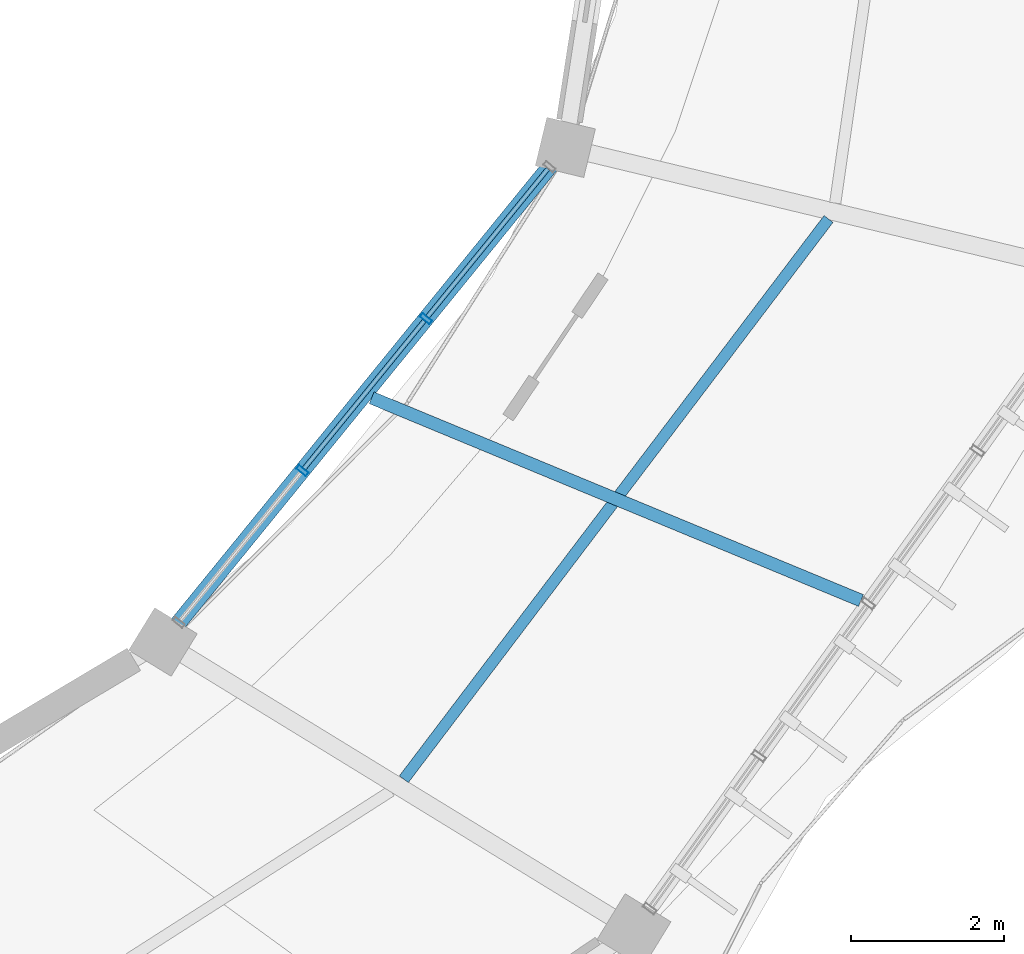
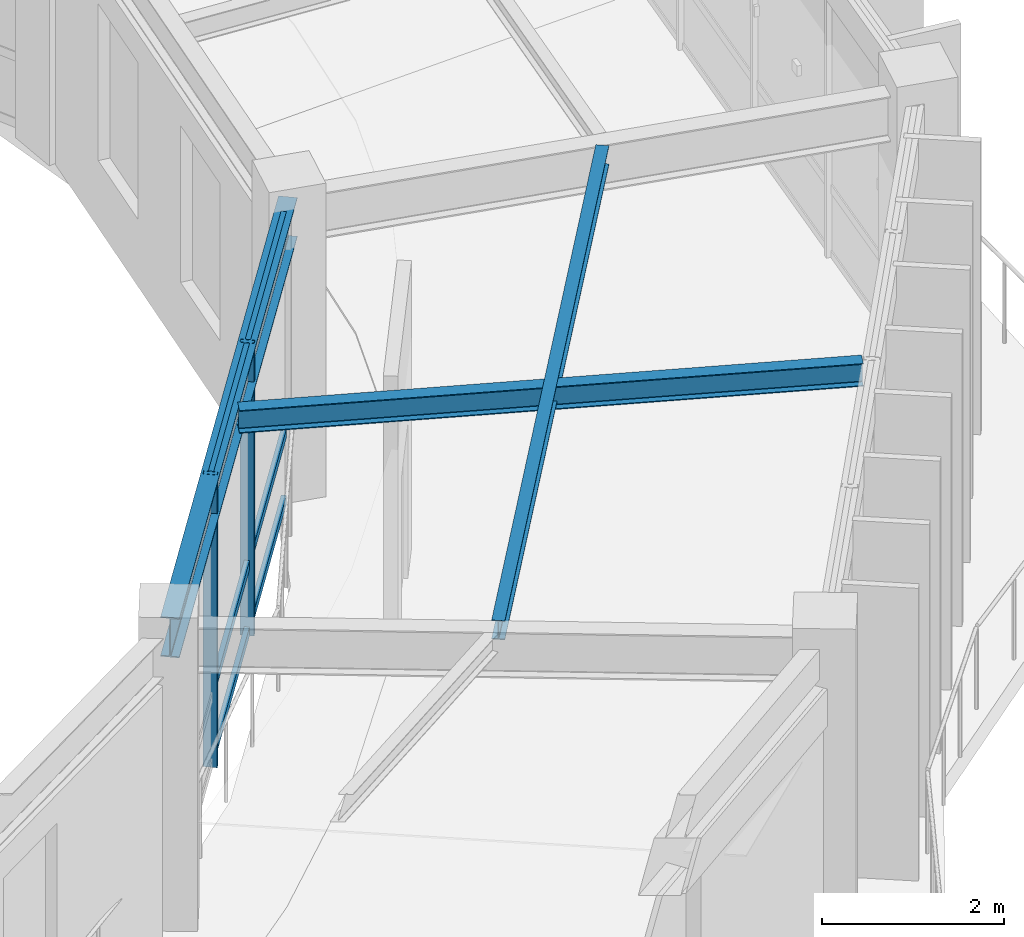
# One storey, part 88 of 138: 8 members, 3 beams, 1 element without a shape of its own.
"""IFC4 building model written with IfcOpenShell, lengths in metres."""

from ifc_helpers import new_model, si_unit, direction, frame, origin, origin_2d, place, context, subcontext, project, spatial, hollow_rectangle, i_section, extrude, material, material_profile, profile_set, type_object, element, aggregate, save


model = new_model("IFC4")

# Units and contexts
model_context = context("Model", 3, precision=1e-05, world=origin(), true_north=direction((0.0, 1.0)))
body_context = subcontext(model_context, "Body", "Model", "MODEL_VIEW")
ifc_project = project(units=[si_unit("LENGTHUNIT", "METRE"), si_unit("AREAUNIT", "SQUARE_METRE"), si_unit("VOLUMEUNIT", "CUBIC_METRE"), si_unit("PLANEANGLEUNIT", "RADIAN"), si_unit("MASSUNIT", "GRAM", prefix="KILO"), si_unit("THERMODYNAMICTEMPERATUREUNIT", "KELVIN"), si_unit("POWERUNIT", "WATT")], contexts=[model_context])

# Site, building, storey
site_placement = place(None, origin())
site = spatial("IfcSite", under=ifc_project, at=site_placement, CompositionType="ELEMENT")
building_placement = place(site_placement, origin())
building = spatial("IfcBuilding", under=site, at=building_placement, Name="Darbajah Civic Hall", CompositionType="ELEMENT")
storey_placement = place(building_placement, frame((0.0, 0.0, 9.60009765625)))
storey = spatial("IfcBuildingStorey", under=building, at=storey_placement, Name="L02", CompositionType="ELEMENT", Elevation=9.60009765625)

# Curtain wall, members
ifc_material_1 = material(Name="Anodised Bronze Aluminium and Low-E Glazing", Category="aluminium")
curtain_wall_type = type_object("IfcCurtainWallType", Name="Unitised Curtain Wall CW-52 7700x3900", PredefinedType="USERDEFINED", material=ifc_material_1)
curtain_wall_placement = place(storey_placement, origin())
curtain_wall = element("IfcCurtainWall", 1, at=curtain_wall_placement, inside=storey, type_object=curtain_wall_type, Name="L02 unitised curtain wall CW-V1I-L02-18", ObjectType="UNITISED CURTAIN WALL", PredefinedType="USERDEFINED")
ifc_material_2 = material(Name="Anodised Bronze Aluminium", Category="aluminium")
ifc_material_profile_1 = material_profile(ifc_material_2, hollow_rectangle(XDim=0.06005859375, YDim=0.159912109375, WallThickness=0.00341796875, at=origin_2d()), Name="ALU MULLION 60x160")
ifc_profile_set_1 = profile_set([ifc_material_profile_1], Name="Anodised Bronze Aluminium")
member_type_1 = type_object("IfcMemberType", Name="ALU MULLION 60x160", PredefinedType="MULLION", material=ifc_profile_set_1)
member_1_placement = place(storey_placement, frame((128.262451171875, 80.381591796875, 0.0), z_axis=(0.0, 0.0, 1.0), x_axis=(0.63108205791, 0.775716079622, 0.0)))
member_1 = element("IfcMember", 2, at=member_1_placement, type_object=member_type_1, Name="CW-V1I-L02-18 mullion 2", PredefinedType="MULLION", context=body_context, shape_type="SweptSolid", body=[
    extrude(hollow_rectangle(XDim=0.06005859375, YDim=0.159912109375, WallThickness=0.00341796875, at=origin_2d()), origin(), (0.0, 0.0, 1.0), 3.919921875),
])
member_2_placement = place(storey_placement, frame((129.872802734375, 82.361083984375, 0.0), z_axis=(0.0, 0.0, 1.0), x_axis=(0.63108205791, 0.775716079622, 0.0)))
member_2 = element("IfcMember", 3, at=member_2_placement, type_object=member_type_1, Name="CW-V1I-L02-18 mullion 3", PredefinedType="MULLION", context=body_context, shape_type="SweptSolid", body=[
    extrude(hollow_rectangle(XDim=0.06005859375, YDim=0.159912109375, WallThickness=0.00341796875, at=origin_2d()), origin(), (0.0, 0.0, 1.0), 3.919921875),
])
ifc_material_profile_2 = material_profile(ifc_material_2, hollow_rectangle(XDim=0.06005859375, YDim=0.1201171875, WallThickness=0.003173828125, at=origin_2d()), Name="ALU TRANSOM 60x120")
ifc_profile_set_2 = profile_set([ifc_material_profile_2], Name="Anodised Bronze Aluminium")
member_type_2 = type_object("IfcMemberType", Name="ALU TRANSOM 60x120", PredefinedType="USERDEFINED", material=ifc_profile_set_2)
member_3_placement = place(storey_placement, frame((128.28466796875, 80.40869140625, 0.059814453125), z_axis=(0.631044326424, 0.775746774462, 0.0), x_axis=(-0.775746774462, 0.631044326424, 0.0)))
member_3 = element("IfcMember", 4, at=member_3_placement, type_object=member_type_2, Name="CW-V1I-L02-18 transom 2.1", ObjectType="TRANSOM", PredefinedType="USERDEFINED", context=body_context, shape_type="SweptSolid", body=[
    extrude(hollow_rectangle(XDim=0.06005859375, YDim=0.1201171875, WallThickness=0.003173828125, at=origin_2d()), origin(), (0.0, 0.0, 1.0), 2.48193359375),
])
member_4_placement = place(storey_placement, frame((128.28466796875, 80.40869140625, 0.949951171875), z_axis=(0.631044326424, 0.775746774462, 0.0), x_axis=(-0.775746774462, 0.631044326424, 0.0)))
member_4 = element("IfcMember", 5, at=member_4_placement, type_object=member_type_2, Name="CW-V1I-L02-18 transom 2.2", ObjectType="TRANSOM", PredefinedType="USERDEFINED", context=body_context, shape_type="SweptSolid", body=[
    extrude(hollow_rectangle(XDim=0.06005859375, YDim=0.1201171875, WallThickness=0.003173828125, at=origin_2d()), origin(), (0.0, 0.0, 1.0), 2.48193359375),
])
member_5_placement = place(storey_placement, frame((128.28466796875, 80.40869140625, 3.85986328125), z_axis=(0.631044326424, 0.775746774462, 0.0), x_axis=(-0.775746774462, 0.631044326424, 0.0)))
member_5 = element("IfcMember", 6, at=member_5_placement, type_object=member_type_2, Name="CW-V1I-L02-18 transom 2.3", ObjectType="TRANSOM", PredefinedType="USERDEFINED", context=body_context, shape_type="SweptSolid", body=[
    extrude(hollow_rectangle(XDim=0.06005859375, YDim=0.1201171875, WallThickness=0.003173828125, at=origin_2d()), origin(), (0.0, 0.0, 1.0), 2.48193359375),
])
member_6_placement = place(storey_placement, frame((129.89501953125, 82.38818359375, 0.059814453125), z_axis=(0.631044326424, 0.775746774462, 0.0), x_axis=(-0.775746774462, 0.631044326424, 0.0)))
member_6 = element("IfcMember", 7, at=member_6_placement, type_object=member_type_2, Name="CW-V1I-L02-18 transom 3.1", ObjectType="TRANSOM", PredefinedType="USERDEFINED", context=body_context, shape_type="SweptSolid", body=[
    extrude(hollow_rectangle(XDim=0.06005859375, YDim=0.1201171875, WallThickness=0.003173828125, at=origin_2d()), origin(), (0.0, 0.0, 1.0), 2.48193359375),
])
member_7_placement = place(storey_placement, frame((129.89501953125, 82.38818359375, 0.949951171875), z_axis=(0.631044326424, 0.775746774462, 0.0), x_axis=(-0.775746774462, 0.631044326424, 0.0)))
member_7 = element("IfcMember", 8, at=member_7_placement, type_object=member_type_2, Name="CW-V1I-L02-18 transom 3.2", ObjectType="TRANSOM", PredefinedType="USERDEFINED", context=body_context, shape_type="SweptSolid", body=[
    extrude(hollow_rectangle(XDim=0.06005859375, YDim=0.1201171875, WallThickness=0.003173828125, at=origin_2d()), origin(), (0.0, 0.0, 1.0), 2.48193359375),
])
member_8_placement = place(storey_placement, frame((129.89501953125, 82.38818359375, 3.85986328125), z_axis=(0.631044326424, 0.775746774462, 0.0), x_axis=(-0.775746774462, 0.631044326424, 0.0)))
member_8 = element("IfcMember", 9, at=member_8_placement, type_object=member_type_2, Name="CW-V1I-L02-18 transom 3.3", ObjectType="TRANSOM", PredefinedType="USERDEFINED", context=body_context, shape_type="SweptSolid", body=[
    extrude(hollow_rectangle(XDim=0.06005859375, YDim=0.1201171875, WallThickness=0.003173828125, at=origin_2d()), origin(), (0.0, 0.0, 1.0), 2.48193359375),
])
aggregate(curtain_wall, [member_1, member_2, member_3, member_4, member_5, member_6, member_7, member_8])

# Beams
ifc_material_3 = material(Name="Steel S355JR", Category="steel")
ifc_material_profile_3 = material_profile(ifc_material_3, i_section(OverallWidth=0.146484375, OverallDepth=0.256103515625, WebThickness=0.00634765625, FlangeThickness=0.010986328125, FilletRadius=0.007568359375, at=origin_2d()), Name="UB 254x146x37")
ifc_profile_set_3 = profile_set([ifc_material_profile_3], Name="Steel S355JR")
beam_type_1 = type_object("IfcBeamType", Name="UB 254x146x37", PredefinedType="JOIST", material=ifc_profile_set_3)
beam_1_placement = place(storey_placement, frame((129.585205078125, 76.359619140625, 3.7919921875), z_axis=(0.604101851083, 0.796907117246, 0.0), x_axis=(-0.796907117246, 0.604101851083, 0.0)))
element("IfcBeam", 10, at=beam_1_placement, inside=storey, type_object=beam_type_1, Name="L02 beam SJ-254", PredefinedType="JOIST", context=body_context, shape_type="SweptSolid", body=[
    extrude(i_section(OverallWidth=0.146484375, OverallDepth=0.256103515625, WebThickness=0.00634765625, FlangeThickness=0.010986328125, FilletRadius=0.007568359375, at=origin_2d()), origin(), (0.0, 0.0, 1.0), 9.16259765625),
])
ifc_material_profile_4 = material_profile(ifc_material_3, i_section(OverallWidth=0.165771484375, OverallDepth=0.306640625, WebThickness=0.006591796875, FlangeThickness=0.01171875, FilletRadius=0.0087890625, at=origin_2d()), Name="UB 305x165x46")
ifc_profile_set_4 = profile_set([ifc_material_profile_4], Name="Steel S355JR")
beam_type_2 = type_object("IfcBeamType", Name="UB 305x165x46", PredefinedType="JOIST", material=ifc_profile_set_4)
beam_2_placement = place(storey_placement, frame((129.16552734375, 81.330810546875, 3.7666015625), z_axis=(0.923878471007, -0.382685995053, 0.0), x_axis=(0.382685995053, 0.923878471007, 0.0)))
element("IfcBeam", 11, at=beam_2_placement, inside=storey, type_object=beam_type_2, Name="L02 beam SJ-305", PredefinedType="JOIST", context=body_context, shape_type="SweptSolid", body=[
    extrude(i_section(OverallWidth=0.165771484375, OverallDepth=0.306640625, WebThickness=0.006591796875, FlangeThickness=0.01171875, FilletRadius=0.0087890625, at=origin_2d()), origin(), (0.0, 0.0, 1.0), 6.9033203125),
])
ifc_material_profile_5 = material_profile(ifc_material_3, i_section(OverallWidth=0.209228515625, OverallDepth=0.533203125, WebThickness=0.010009765625, FlangeThickness=0.015625, FilletRadius=0.0126953125, at=origin_2d()), Name="UB 533x210x92")
ifc_profile_set_5 = profile_set([ifc_material_profile_5], Name="Steel S355JR")
beam_type_3 = type_object("IfcBeamType", Name="UB 533x210x92", PredefinedType="BEAM", material=ifc_profile_set_5)
beam_3_placement = place(storey_placement, frame((126.49609375, 78.21044921875, 3.6533203125), z_axis=(0.631114659221, 0.775689555761, 0.0), x_axis=(-0.775689555761, 0.631114659221, 0.0)))
element("IfcBeam", 12, at=beam_3_placement, inside=storey, type_object=beam_type_3, Name="L02 beam SB-533", PredefinedType="BEAM", context=body_context, shape_type="SweptSolid", body=[
    extrude(i_section(OverallWidth=0.209228515625, OverallDepth=0.533203125, WebThickness=0.010009765625, FlangeThickness=0.015625, FilletRadius=0.0126953125, at=origin_2d()), origin(), (0.0, 0.0, 1.0), 8.149658203125),
])

save(model, "model.ifc")
